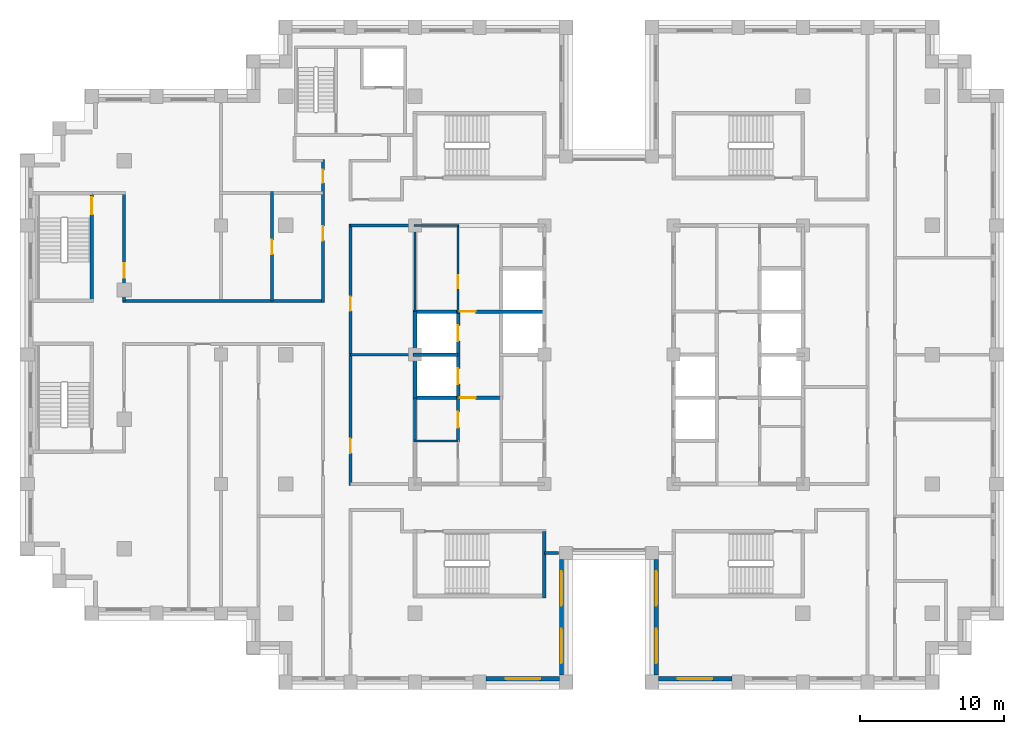
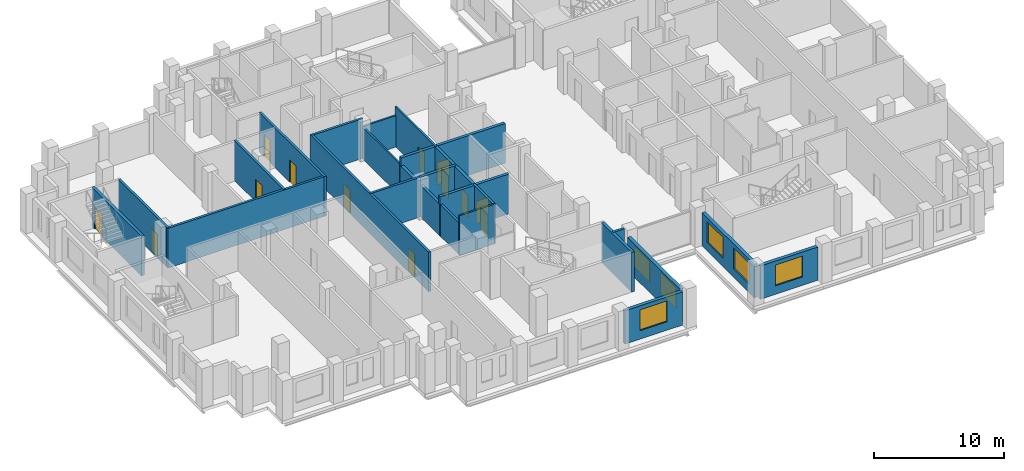
# One storey, part 7 of 15: 25 walls, 13 doors, 6 windows, 19 openings.
"""IFC4 building model written with IfcOpenShell, lengths in metres."""

from ifc_helpers import new_model, si_unit, direction, frame, frame_2d, origin, place, context, subcontext, project, spatial, rectangle, extrude, material, layer, layer_set, type_object, element, fill, save


model = new_model("IFC4")

# Units and contexts
model_context = context("Model", 3, precision=1e-05, world=origin(), true_north=direction((0.0, 1.0)))
body_context = subcontext(model_context, "Body", "Model", "MODEL_VIEW")
ifc_project = project(units=[si_unit("LENGTHUNIT", "METRE"), si_unit("AREAUNIT", "SQUARE_METRE"), si_unit("VOLUMEUNIT", "CUBIC_METRE"), si_unit("PLANEANGLEUNIT", "RADIAN"), si_unit("MASSUNIT", "GRAM", prefix="KILO")], contexts=[model_context])

# Site, building, storey
site_placement = place(None, origin())
site = spatial("IfcSite", under=ifc_project, at=site_placement, CompositionType="ELEMENT")
building_placement = place(site_placement, origin())
building = spatial("IfcBuilding", under=site, at=building_placement, Name="Corbelhall Arena Tower", CompositionType="ELEMENT")
storey_placement = place(building_placement, frame((0.0, 0.0, 204.0)))
storey = spatial("IfcBuildingStorey", under=building, at=storey_placement, Name="L42", CompositionType="ELEMENT", Elevation=204.0)

# Wall, opening, window
ifc_material_1 = material(Name="Precast concrete C40/50 with granite facing", Category="masonry")
ifc_layer_1 = layer(ifc_material_1, 0.300048828125)
ifc_layer_set_1 = layer_set([ifc_layer_1], Name="EV-IW1 Infill panel 300")
wall_type_1 = type_object("IfcWallType", Name="EV-IW1 Infill panel 300", PredefinedType="SOLIDWALL", material=ifc_layer_set_1)
wall_1_placement = place(storey_placement, frame((-8.550048828125, -22.550048828125, 0.0), z_axis=(0.0, 0.0, 1.0), x_axis=(1.0, 0.0, 0.0)))
wall_1 = element("IfcWall", 1, at=wall_1_placement, inside=storey, type_object=wall_type_1, Name="Infill panel IW1", PredefinedType="SOLIDWALL", context=body_context, shape_type="SweptSolid", body=[
    extrude(rectangle(XDim=5.10009765625, YDim=0.300048828125, at=frame_2d((2.550048828125, 0.0))), origin(), (0.0, 0.0, 1.0), 3.1201171875),
])
opening_1_placement = place(wall_1_placement, frame((1.35009765625, 0.0, 0.800048828125)))
opening_1 = element("IfcOpeningElement", 2, at=opening_1_placement, cuts=wall_1, Name="Opening WN1", PredefinedType="OPENING", context=body_context, shape_type="SweptSolid", body=[
    extrude(rectangle(XDim=2.39990234375, YDim=1.949951171875, at=frame_2d((1.199951171875, 0.97509765625))), frame((0.0, 0.14990234375, 0.0), z_axis=(0.0, -1.0, 0.0), x_axis=(1.0, 0.0, 0.0)), (0.0, 0.0, 1.0), 0.300048828125),
])
ifc_material_2 = material(Name="Aluminium black anodised", Category="aluminium")
window_type = type_object("IfcWindowType", Name="EV-WN1 Office window", PartitioningType="SINGLE_PANEL", PredefinedType="WINDOW", material=ifc_material_2)
window_1_placement = place(opening_1_placement, origin())
window_1 = element("IfcWindow", 3, at=window_1_placement, inside=storey, type_object=window_type, Name="Window WN1", OverallHeight=1.949951171875, OverallWidth=2.39990234375, PartitioningType="SINGLE_PANEL", PredefinedType="WINDOW", context=body_context, shape_type="SweptSolid", body=[
    extrude(rectangle(XDim=2.39990234375, YDim=1.949951171875, at=frame_2d((1.199951171875, 0.97509765625))), frame((0.0, 0.030029296875, 0.0), z_axis=(0.0, -1.0, 0.0), x_axis=(1.0, 0.0, 0.0)), (0.0, 0.0, 1.0), 0.06005859375),
])
fill(opening_1, window_1)

# Wall, openings, windows
wall_2_placement = place(storey_placement, frame((-3.300048828125, -22.300048828125, 0.0), z_axis=(0.0, 0.0, 1.0), x_axis=(0.0, 1.0, 0.0)))
wall_2 = element("IfcWall", 4, at=wall_2_placement, inside=storey, type_object=wall_type_1, Name="Infill panel IW1", PredefinedType="SOLIDWALL", context=body_context, shape_type="SweptSolid", body=[
    extrude(rectangle(XDim=8.050048828125, YDim=0.300048828125, at=frame_2d((4.02490234375, 0.0))), origin(), (0.0, 0.0, 1.0), 3.1201171875),
])
opening_2_placement = place(wall_2_placement, frame((0.8125, 0.0, 0.800048828125)))
opening_2 = element("IfcOpeningElement", 5, at=opening_2_placement, cuts=wall_2, Name="Opening WN1", PredefinedType="OPENING", context=body_context, shape_type="SweptSolid", body=[
    extrude(rectangle(XDim=2.39990234375, YDim=1.949951171875, at=frame_2d((1.199951171875, 0.97509765625))), frame((0.0, 0.14990234375, 0.0), z_axis=(0.0, -1.0, 0.0), x_axis=(1.0, 0.0, 0.0)), (0.0, 0.0, 1.0), 0.300048828125),
])
opening_3_placement = place(wall_2_placement, frame((4.83740234375, 0.0, 0.800048828125)))
opening_3 = element("IfcOpeningElement", 6, at=opening_3_placement, cuts=wall_2, Name="Opening WN1", PredefinedType="OPENING", context=body_context, shape_type="SweptSolid", body=[
    extrude(rectangle(XDim=2.39990234375, YDim=1.949951171875, at=frame_2d((1.199951171875, 0.97509765625))), frame((0.0, 0.14990234375, 0.0), z_axis=(0.0, -1.0, 0.0), x_axis=(1.0, 0.0, 0.0)), (0.0, 0.0, 1.0), 0.300048828125),
])
window_2_placement = place(opening_2_placement, origin())
window_2 = element("IfcWindow", 7, at=window_2_placement, inside=storey, type_object=window_type, Name="Window WN1", OverallHeight=1.949951171875, OverallWidth=2.39990234375, PartitioningType="SINGLE_PANEL", PredefinedType="WINDOW", context=body_context, shape_type="SweptSolid", body=[
    extrude(rectangle(XDim=2.39990234375, YDim=1.949951171875, at=frame_2d((1.199951171875, 0.97509765625))), frame((0.0, 0.030029296875, 0.0), z_axis=(0.0, -1.0, 0.0), x_axis=(1.0, 0.0, 0.0)), (0.0, 0.0, 1.0), 0.06005859375),
])
fill(opening_2, window_2)
window_3_placement = place(opening_3_placement, origin())
window_3 = element("IfcWindow", 8, at=window_3_placement, inside=storey, type_object=window_type, Name="Window WN1", OverallHeight=1.949951171875, OverallWidth=2.39990234375, PartitioningType="SINGLE_PANEL", PredefinedType="WINDOW", context=body_context, shape_type="SweptSolid", body=[
    extrude(rectangle(XDim=2.39990234375, YDim=1.949951171875, at=frame_2d((1.199951171875, 0.97509765625))), frame((0.0, 0.030029296875, 0.0), z_axis=(0.0, -1.0, 0.0), x_axis=(1.0, 0.0, 0.0)), (0.0, 0.0, 1.0), 0.06005859375),
])
fill(opening_3, window_3)

wall_3_placement = place(storey_placement, frame((3.300048828125, -14.25, 0.0), z_axis=(0.0, 0.0, 1.0), x_axis=(0.0, -1.0, 0.0)))
wall_3 = element("IfcWall", 9, at=wall_3_placement, inside=storey, type_object=wall_type_1, Name="Infill panel IW1", PredefinedType="SOLIDWALL", context=body_context, shape_type="SweptSolid", body=[
    extrude(rectangle(XDim=8.050048828125, YDim=0.300048828125, at=frame_2d((4.02490234375, 0.0))), origin(), (0.0, 0.0, 1.0), 3.1201171875),
])
opening_4_placement = place(wall_3_placement, frame((0.8125, 0.0, 0.800048828125)))
opening_4 = element("IfcOpeningElement", 10, at=opening_4_placement, cuts=wall_3, Name="Opening WN1", PredefinedType="OPENING", context=body_context, shape_type="SweptSolid", body=[
    extrude(rectangle(XDim=2.39990234375, YDim=1.949951171875, at=frame_2d((1.199951171875, 0.97509765625))), frame((0.0, 0.14990234375, 0.0), z_axis=(0.0, -1.0, 0.0), x_axis=(1.0, 0.0, 0.0)), (0.0, 0.0, 1.0), 0.300048828125),
])
opening_5_placement = place(wall_3_placement, frame((4.83740234375, 0.0, 0.800048828125)))
opening_5 = element("IfcOpeningElement", 11, at=opening_5_placement, cuts=wall_3, Name="Opening WN1", PredefinedType="OPENING", context=body_context, shape_type="SweptSolid", body=[
    extrude(rectangle(XDim=2.39990234375, YDim=1.949951171875, at=frame_2d((1.199951171875, 0.97509765625))), frame((0.0, 0.14990234375, 0.0), z_axis=(0.0, -1.0, 0.0), x_axis=(1.0, 0.0, 0.0)), (0.0, 0.0, 1.0), 0.300048828125),
])
window_4_placement = place(opening_4_placement, origin())
window_4 = element("IfcWindow", 12, at=window_4_placement, inside=storey, type_object=window_type, Name="Window WN1", OverallHeight=1.949951171875, OverallWidth=2.39990234375, PartitioningType="SINGLE_PANEL", PredefinedType="WINDOW", context=body_context, shape_type="SweptSolid", body=[
    extrude(rectangle(XDim=2.39990234375, YDim=1.949951171875, at=frame_2d((1.199951171875, 0.97509765625))), frame((0.0, 0.030029296875, 0.0), z_axis=(0.0, -1.0, 0.0), x_axis=(1.0, 0.0, 0.0)), (0.0, 0.0, 1.0), 0.06005859375),
])
fill(opening_4, window_4)
window_5_placement = place(opening_5_placement, origin())
window_5 = element("IfcWindow", 13, at=window_5_placement, inside=storey, type_object=window_type, Name="Window WN1", OverallHeight=1.949951171875, OverallWidth=2.39990234375, PartitioningType="SINGLE_PANEL", PredefinedType="WINDOW", context=body_context, shape_type="SweptSolid", body=[
    extrude(rectangle(XDim=2.39990234375, YDim=1.949951171875, at=frame_2d((1.199951171875, 0.97509765625))), frame((0.0, 0.030029296875, 0.0), z_axis=(0.0, -1.0, 0.0), x_axis=(1.0, 0.0, 0.0)), (0.0, 0.0, 1.0), 0.06005859375),
])
fill(opening_5, window_5)

# Wall, opening, window
wall_4_placement = place(storey_placement, frame((3.449951171875, -22.550048828125, 0.0), z_axis=(0.0, 0.0, 1.0), x_axis=(1.0, 0.0, 0.0)))
wall_4 = element("IfcWall", 14, at=wall_4_placement, inside=storey, type_object=wall_type_1, Name="Infill panel IW1", PredefinedType="SOLIDWALL", context=body_context, shape_type="SweptSolid", body=[
    extrude(rectangle(XDim=5.10009765625, YDim=0.300048828125, at=frame_2d((2.550048828125, 0.0))), origin(), (0.0, 0.0, 1.0), 3.1201171875),
])
opening_6_placement = place(wall_4_placement, frame((1.35009765625, 0.0, 0.800048828125)))
opening_6 = element("IfcOpeningElement", 15, at=opening_6_placement, cuts=wall_4, Name="Opening WN1", PredefinedType="OPENING", context=body_context, shape_type="SweptSolid", body=[
    extrude(rectangle(XDim=2.39990234375, YDim=1.949951171875, at=frame_2d((1.199951171875, 0.97509765625))), frame((0.0, 0.14990234375, 0.0), z_axis=(0.0, -1.0, 0.0), x_axis=(1.0, 0.0, 0.0)), (0.0, 0.0, 1.0), 0.300048828125),
])
window_6_placement = place(opening_6_placement, origin())
window_6 = element("IfcWindow", 16, at=window_6_placement, inside=storey, type_object=window_type, Name="Window WN1", OverallHeight=1.949951171875, OverallWidth=2.39990234375, PartitioningType="SINGLE_PANEL", PredefinedType="WINDOW", context=body_context, shape_type="SweptSolid", body=[
    extrude(rectangle(XDim=2.39990234375, YDim=1.949951171875, at=frame_2d((1.199951171875, 0.97509765625))), frame((0.0, 0.030029296875, 0.0), z_axis=(0.0, -1.0, 0.0), x_axis=(1.0, 0.0, 0.0)), (0.0, 0.0, 1.0), 0.06005859375),
])
fill(opening_6, window_6)

# Wall
ifc_material_3 = material(Name="Gypsum board on steel stud, acoustic", Category="steel")
ifc_layer_2 = layer(ifc_material_3, 0.199951171875)
ifc_layer_set_2 = layer_set([ifc_layer_2], Name="IN-W-DM200")
wall_type_2 = type_object("IfcWallType", Name="IN-W-DM200", PredefinedType="PARTITIONING", material=ifc_layer_set_2)
wall_5_placement = place(storey_placement, frame((-33.85009765625, 3.75, 0.0), z_axis=(0.0, 0.0, 1.0), x_axis=(1.0, 0.0, 0.0)))
element("IfcWall", 17, at=wall_5_placement, inside=storey, type_object=wall_type_2, Name="Partition 002", PredefinedType="PARTITIONING", context=body_context, shape_type="SweptSolid", body=[
    extrude(rectangle(XDim=13.9501953125, YDim=0.199951171875, at=frame_2d((6.97509765625, 0.0))), origin(), (0.0, 0.0, 1.0), 3.719970703125),
])

# Wall, opening, door
wall_6_placement = place(storey_placement, frame((-33.75, 11.25, 0.0), z_axis=(0.0, 0.0, 1.0), x_axis=(0.0, -1.0, 0.0)))
wall_6 = element("IfcWall", 18, at=wall_6_placement, inside=storey, type_object=wall_type_2, Name="Partition 005", PredefinedType="PARTITIONING", context=body_context, shape_type="SweptSolid", body=[
    extrude(rectangle(XDim=7.5, YDim=0.199951171875, at=frame_2d((3.75, 0.0))), origin(), (0.0, 0.0, 1.0), 3.719970703125),
])
opening_7_placement = place(wall_6_placement, frame((4.89990234375, 0.0, 0.0)))
opening_7 = element("IfcOpeningElement", 19, at=opening_7_placement, cuts=wall_6, Name="Opening 12043", PredefinedType="OPENING", context=body_context, shape_type="SweptSolid", body=[
    extrude(rectangle(XDim=1.0, YDim=2.10009765625, at=frame_2d((0.5, 1.050048828125))), frame((0.0, 0.10009765625, 0.0), z_axis=(0.0, -1.0, 0.0), x_axis=(1.0, 0.0, 0.0)), (0.0, 0.0, 1.0), 0.199951171875),
])
ifc_material_4 = material(Name="Steel door set", Category="steel")
door_type_1 = type_object("IfcDoorType", Name="IN-D-SW100", OperationType="NOTDEFINED", PredefinedType="DOOR", material=ifc_material_4)
door_1_placement = place(opening_7_placement, origin())
door_1 = element("IfcDoor", 20, at=door_1_placement, inside=storey, type_object=door_type_1, Name="Door 043", OperationType="SINGLE_SWING_RIGHT", OverallHeight=2.10009765625, OverallWidth=1.0, PredefinedType="DOOR", context=body_context, shape_type="SweptSolid", body=[
    extrude(rectangle(XDim=1.0, YDim=2.10009765625, at=frame_2d((0.5, 1.050048828125))), frame((0.0, 0.02490234375, 0.0), z_axis=(0.0, -1.0, 0.0), x_axis=(1.0, 0.0, 0.0)), (0.0, 0.0, 1.0), 0.050048828125),
])
fill(opening_7, door_1)

wall_7_placement = place(storey_placement, frame((-23.449951171875, 3.75, 0.0), z_axis=(0.0, 0.0, 1.0), x_axis=(0.0, 1.0, 0.0)))
wall_7 = element("IfcWall", 21, at=wall_7_placement, inside=storey, type_object=wall_type_2, Name="Partition 013", PredefinedType="PARTITIONING", context=body_context, shape_type="SweptSolid", body=[
    extrude(rectangle(XDim=7.60009765625, YDim=0.199951171875, at=frame_2d((3.800048828125, 0.0))), origin(), (0.0, 0.0, 1.0), 3.719970703125),
])
opening_8_placement = place(wall_7_placement, frame((3.25, 0.0, 0.0)))
opening_8 = element("IfcOpeningElement", 22, at=opening_8_placement, cuts=wall_7, Name="Opening 12032", PredefinedType="OPENING", context=body_context, shape_type="SweptSolid", body=[
    extrude(rectangle(XDim=1.0, YDim=2.10009765625, at=frame_2d((0.5, 1.050048828125))), frame((0.0, 0.10009765625, 0.0), z_axis=(0.0, -1.0, 0.0), x_axis=(1.0, 0.0, 0.0)), (0.0, 0.0, 1.0), 0.199951171875),
])
door_2_placement = place(opening_8_placement, origin())
door_2 = element("IfcDoor", 23, at=door_2_placement, inside=storey, type_object=door_type_1, Name="Door 032", OperationType="SINGLE_SWING_LEFT", OverallHeight=2.10009765625, OverallWidth=1.0, PredefinedType="DOOR", context=body_context, shape_type="SweptSolid", body=[
    extrude(rectangle(XDim=1.0, YDim=2.10009765625, at=frame_2d((0.5, 1.050048828125))), frame((0.0, 0.02490234375, 0.0), z_axis=(0.0, -1.0, 0.0), x_axis=(1.0, 0.0, 0.0)), (0.0, 0.0, 1.0), 0.050048828125),
])
fill(opening_8, door_2)

# Wall, openings, doors
wall_8_placement = place(storey_placement, frame((-19.89990234375, 3.64990234375, 0.0), z_axis=(0.0, 0.0, 1.0), x_axis=(0.0, 1.0, 0.0)))
wall_8 = element("IfcWall", 24, at=wall_8_placement, inside=storey, type_object=wall_type_2, Name="Partition 016", PredefinedType="PARTITIONING", context=body_context, shape_type="SweptSolid", body=[
    extrude(rectangle(XDim=9.9501953125, YDim=0.199951171875, at=frame_2d((4.97509765625, 0.0))), origin(), (0.0, 0.0, 1.0), 3.719970703125),
])
opening_9_placement = place(wall_8_placement, frame((4.300048828125, 0.0, 0.0)))
opening_9 = element("IfcOpeningElement", 25, at=opening_9_placement, cuts=wall_8, Name="Opening 12031", PredefinedType="OPENING", context=body_context, shape_type="SweptSolid", body=[
    extrude(rectangle(XDim=1.0, YDim=2.10009765625, at=frame_2d((0.5, 1.050048828125))), frame((0.0, 0.10009765625, 0.0), z_axis=(0.0, -1.0, 0.0), x_axis=(1.0, 0.0, 0.0)), (0.0, 0.0, 1.0), 0.199951171875),
])
opening_10_placement = place(wall_8_placement, frame((8.320068359375, 0.0, 0.0)))
opening_10 = element("IfcOpeningElement", 26, at=opening_10_placement, cuts=wall_8, Name="Opening 12046", PredefinedType="OPENING", context=body_context, shape_type="SweptSolid", body=[
    extrude(rectangle(XDim=0.89990234375, YDim=2.10009765625, at=frame_2d((0.449951171875, 1.050048828125))), frame((0.0, 0.10009765625, 0.0), z_axis=(0.0, -1.0, 0.0), x_axis=(1.0, 0.0, 0.0)), (0.0, 0.0, 1.0), 0.199951171875),
])
door_3_placement = place(opening_9_placement, origin())
door_3 = element("IfcDoor", 27, at=door_3_placement, inside=storey, type_object=door_type_1, Name="Door 031", OperationType="SINGLE_SWING_RIGHT", OverallHeight=2.10009765625, OverallWidth=1.0, PredefinedType="DOOR", context=body_context, shape_type="SweptSolid", body=[
    extrude(rectangle(XDim=1.0, YDim=2.10009765625, at=frame_2d((0.5, 1.050048828125))), frame((0.0, 0.02490234375, 0.0), z_axis=(0.0, -1.0, 0.0), x_axis=(1.0, 0.0, 0.0)), (0.0, 0.0, 1.0), 0.050048828125),
])
fill(opening_9, door_3)
ifc_material_5 = material(Name="Timber door set", Category="wood")
door_type_2 = type_object("IfcDoorType", Name="IN-D-SW90", OperationType="NOTDEFINED", PredefinedType="DOOR", material=ifc_material_5)
door_4_placement = place(opening_10_placement, origin())
door_4 = element("IfcDoor", 28, at=door_4_placement, inside=storey, type_object=door_type_2, Name="Door 046", OperationType="SINGLE_SWING_LEFT", OverallHeight=2.10009765625, OverallWidth=0.89990234375, PredefinedType="DOOR", context=body_context, shape_type="SweptSolid", body=[
    extrude(rectangle(XDim=0.89990234375, YDim=2.10009765625, at=frame_2d((0.449951171875, 1.050048828125))), frame((0.0, 0.02490234375, 0.0), z_axis=(0.0, -1.0, 0.0), x_axis=(1.0, 0.0, 0.0)), (0.0, 0.0, 1.0), 0.050048828125),
])
fill(opening_10, door_4)

# Wall
wall_9_placement = place(storey_placement, frame((-18.0, 0.0, 0.0), z_axis=(0.0, 0.0, 1.0), x_axis=(1.0, 0.0, 0.0)))
element("IfcWall", 29, at=wall_9_placement, inside=storey, type_object=wall_type_2, Name="Partition 020", PredefinedType="PARTITIONING", context=body_context, shape_type="SweptSolid", body=[
    extrude(rectangle(XDim=4.5, YDim=0.199951171875, at=frame_2d((2.25, 0.0))), origin(), (0.0, 0.0, 1.0), 3.719970703125),
])

# Wall, openings, doors
wall_10_placement = place(storey_placement, frame((-18.0, 9.10009765625, 0.0), z_axis=(0.0, 0.0, 1.0), x_axis=(0.0, -1.0, 0.0)))
wall_10 = element("IfcWall", 30, at=wall_10_placement, inside=storey, type_object=wall_type_2, Name="Partition 021", PredefinedType="PARTITIONING", context=body_context, shape_type="SweptSolid", body=[
    extrude(rectangle(XDim=18.2001953125, YDim=0.199951171875, at=frame_2d((9.10009765625, 0.0))), origin(), (0.0, 0.0, 1.0), 3.719970703125),
])
opening_11_placement = place(wall_10_placement, frame((14.949951171875, 0.0, 0.0)))
opening_11 = element("IfcOpeningElement", 31, at=opening_11_placement, cuts=wall_10, Name="Opening 12023", PredefinedType="OPENING", context=body_context, shape_type="SweptSolid", body=[
    extrude(rectangle(XDim=1.0, YDim=2.10009765625, at=frame_2d((0.5, 1.050048828125))), frame((0.0, 0.10009765625, 0.0), z_axis=(0.0, -1.0, 0.0), x_axis=(1.0, 0.0, 0.0)), (0.0, 0.0, 1.0), 0.199951171875),
])
opening_12_placement = place(wall_10_placement, frame((5.050048828125, 0.0, 0.0)))
opening_12 = element("IfcOpeningElement", 32, at=opening_12_placement, cuts=wall_10, Name="Opening 12024", PredefinedType="OPENING", context=body_context, shape_type="SweptSolid", body=[
    extrude(rectangle(XDim=1.0, YDim=2.10009765625, at=frame_2d((0.5, 1.050048828125))), frame((0.0, 0.10009765625, 0.0), z_axis=(0.0, -1.0, 0.0), x_axis=(1.0, 0.0, 0.0)), (0.0, 0.0, 1.0), 0.199951171875),
])
door_5_placement = place(opening_11_placement, origin())
door_5 = element("IfcDoor", 33, at=door_5_placement, inside=storey, type_object=door_type_1, Name="Door 023", OperationType="SINGLE_SWING_RIGHT", OverallHeight=2.10009765625, OverallWidth=1.0, PredefinedType="DOOR", context=body_context, shape_type="SweptSolid", body=[
    extrude(rectangle(XDim=1.0, YDim=2.10009765625, at=frame_2d((0.5, 1.050048828125))), frame((0.0, 0.02490234375, 0.0), z_axis=(0.0, -1.0, 0.0), x_axis=(1.0, 0.0, 0.0)), (0.0, 0.0, 1.0), 0.050048828125),
])
fill(opening_11, door_5)
door_6_placement = place(opening_12_placement, origin())
door_6 = element("IfcDoor", 34, at=door_6_placement, inside=storey, type_object=door_type_1, Name="Door 024", OperationType="SINGLE_SWING_LEFT", OverallHeight=2.10009765625, OverallWidth=1.0, PredefinedType="DOOR", context=body_context, shape_type="SweptSolid", body=[
    extrude(rectangle(XDim=1.0, YDim=2.10009765625, at=frame_2d((0.5, 1.050048828125))), frame((0.0, 0.02490234375, 0.0), z_axis=(0.0, -1.0, 0.0), x_axis=(1.0, 0.0, 0.0)), (0.0, 0.0, 1.0), 0.050048828125),
])
fill(opening_12, door_6)

# Walls
wall_11_placement = place(storey_placement, frame((-13.5, 9.0, 0.0), z_axis=(0.0, 0.0, 1.0), x_axis=(-1.0, 0.0, 0.0)))
element("IfcWall", 35, at=wall_11_placement, inside=storey, type_object=wall_type_2, Name="Partition 029", PredefinedType="PARTITIONING", context=body_context, shape_type="SweptSolid", body=[
    extrude(rectangle(XDim=4.5, YDim=0.199951171875, at=frame_2d((2.25, 0.0))), origin(), (0.0, 0.0, 1.0), 3.719970703125),
])
wall_12_placement = place(storey_placement, frame((-3.5, -13.800048828125, 0.0), z_axis=(0.0, 0.0, 1.0), x_axis=(-1.0, 0.0, 0.0)))
element("IfcWall", 36, at=wall_12_placement, inside=storey, type_object=wall_type_2, Name="Partition 033", PredefinedType="PARTITIONING", context=body_context, shape_type="SweptSolid", body=[
    extrude(rectangle(XDim=1.0, YDim=0.199951171875, at=frame_2d((0.5, 0.0))), origin(), (0.0, 0.0, 1.0), 3.719970703125),
])

# Wall, opening, door
ifc_material_6 = material(Name="Concrete block wall", Category="concrete")
ifc_layer_3 = layer(ifc_material_6, 0.199951171875)
ifc_layer_set_3 = layer_set([ifc_layer_3], Name="IN-W-RS200")
wall_type_3 = type_object("IfcWallType", Name="IN-W-RS200", PredefinedType="SOLIDWALL", material=ifc_layer_set_3)
wall_13_placement = place(storey_placement, frame((-10.5, -6.074951171875, 0.0), z_axis=(0.0, 0.0, 1.0), x_axis=(0.0, 1.0, 0.0)))
wall_13 = element("IfcWall", 37, at=wall_13_placement, inside=storey, type_object=wall_type_3, Name="Partition 057", PredefinedType="SOLIDWALL", context=body_context, shape_type="SweptSolid", body=[
    extrude(rectangle(XDim=3.199951171875, YDim=0.199951171875, at=frame_2d((1.60009765625, 0.0))), origin(), (0.0, 0.0, 1.0), 3.719970703125),
])
opening_13_placement = place(wall_13_placement, frame((1.0, 0.0, 0.0)))
opening_13 = element("IfcOpeningElement", 38, at=opening_13_placement, cuts=wall_13, Name="Opening 12007", PredefinedType="OPENING", context=body_context, shape_type="SweptSolid", body=[
    extrude(rectangle(XDim=1.10009765625, YDim=2.10009765625, at=frame_2d((0.550048828125, 1.050048828125))), frame((0.0, 0.10009765625, 0.0), z_axis=(0.0, -1.0, 0.0), x_axis=(1.0, 0.0, 0.0)), (0.0, 0.0, 1.0), 0.199951171875),
])
door_type_3 = type_object("IfcDoorType", Name="IN-D-FD110", OperationType="NOTDEFINED", PredefinedType="DOOR", material=ifc_material_4)
door_7_placement = place(opening_13_placement, origin())
door_7 = element("IfcDoor", 39, at=door_7_placement, inside=storey, type_object=door_type_3, Name="Door 007", OperationType="SINGLE_SWING_RIGHT", OverallHeight=2.10009765625, OverallWidth=1.10009765625, PredefinedType="DOOR", context=body_context, shape_type="SweptSolid", body=[
    extrude(rectangle(XDim=1.10009765625, YDim=2.10009765625, at=frame_2d((0.550048828125, 1.050048828125))), frame((0.0, 0.02490234375, 0.0), z_axis=(0.0, -1.0, 0.0), x_axis=(1.0, 0.0, 0.0)), (0.0, 0.0, 1.0), 0.050048828125),
])
fill(opening_13, door_7)

# Walls
ifc_layer_4 = layer(ifc_material_6, 0.199951171875)
ifc_layer_set_4 = layer_set([ifc_layer_4], Name="IN-W-RS200 under beam 762 mm")
wall_type_4 = type_object("IfcWallType", Name="IN-W-RS200 under beam 762 mm", PredefinedType="SOLIDWALL", material=ifc_layer_set_4)
wall_14_placement = place(storey_placement, frame((-13.5, -6.0, 0.0), z_axis=(0.0, 0.0, 1.0), x_axis=(0.0, 1.0, 0.0)))
element("IfcWall", 40, at=wall_14_placement, inside=storey, type_object=wall_type_4, Name="Partition 056", PredefinedType="SOLIDWALL", context=body_context, shape_type="SweptSolid", body=[
    extrude(rectangle(XDim=3.0, YDim=0.199951171875, at=frame_2d((1.5, 0.0))), origin(), (0.0, 0.0, 1.0), 2.9580078125),
])
ifc_material_7 = material(Name="Concrete C40/50", Category="concrete")
ifc_layer_5 = layer(ifc_material_7, 0.25)
ifc_layer_set_5 = layer_set([ifc_layer_5], Name="IN-W-SH250")
wall_type_5 = type_object("IfcWallType", Name="IN-W-SH250", PredefinedType="SOLIDWALL", material=ifc_layer_set_5)
wall_15_placement = place(storey_placement, frame((-13.625, 0.0, 0.0), z_axis=(0.0, 0.0, 1.0), x_axis=(1.0, 0.0, 0.0)))
element("IfcWall", 41, at=wall_15_placement, inside=storey, type_object=wall_type_5, Name="Shaft wall 077", PredefinedType="SOLIDWALL", context=body_context, shape_type="SweptSolid", body=[
    extrude(rectangle(XDim=3.125, YDim=0.25, at=frame_2d((1.5625, 0.0))), origin(), (0.0, 0.0, 1.0), 3.719970703125),
])

# Wall, opening, door
wall_16_placement = place(storey_placement, frame((-13.625, 3.0, 0.0), z_axis=(0.0, 0.0, 1.0), x_axis=(1.0, 0.0, 0.0)))
wall_16 = element("IfcWall", 42, at=wall_16_placement, inside=storey, type_object=wall_type_5, Name="Shaft wall 078", PredefinedType="SOLIDWALL", context=body_context, shape_type="SweptSolid", body=[
    extrude(rectangle(XDim=9.25, YDim=0.25, at=frame_2d((4.625, 0.0))), origin(), (0.0, 0.0, 1.0), 3.719970703125),
])
opening_14_placement = place(wall_16_placement, frame((3.25, 0.0, 0.0)))
opening_14 = element("IfcOpeningElement", 43, at=opening_14_placement, cuts=wall_16, Name="Opening 12005", PredefinedType="OPENING", context=body_context, shape_type="SweptSolid", body=[
    extrude(rectangle(XDim=1.10009765625, YDim=2.10009765625, at=frame_2d((0.550048828125, 1.050048828125))), frame((0.0, 0.125, 0.0), z_axis=(0.0, -1.0, 0.0), x_axis=(1.0, 0.0, 0.0)), (0.0, 0.0, 1.0), 0.25),
])
door_8_placement = place(opening_14_placement, origin())
door_8 = element("IfcDoor", 44, at=door_8_placement, inside=storey, type_object=door_type_3, Name="Door 005", OperationType="SINGLE_SWING_RIGHT", OverallHeight=2.10009765625, OverallWidth=1.10009765625, PredefinedType="DOOR", context=body_context, shape_type="SweptSolid", body=[
    extrude(rectangle(XDim=1.10009765625, YDim=2.10009765625, at=frame_2d((0.550048828125, 1.050048828125))), frame((0.0, 0.02490234375, 0.0), z_axis=(0.0, -1.0, 0.0), x_axis=(1.0, 0.0, 0.0)), (0.0, 0.0, 1.0), 0.050048828125),
])
fill(opening_14, door_8)

wall_17_placement = place(storey_placement, frame((-13.625, -3.0, 0.0), z_axis=(0.0, 0.0, 1.0), x_axis=(1.0, 0.0, 0.0)))
wall_17 = element("IfcWall", 45, at=wall_17_placement, inside=storey, type_object=wall_type_5, Name="Shaft wall 080", PredefinedType="SOLIDWALL", context=body_context, shape_type="SweptSolid", body=[
    extrude(rectangle(XDim=6.125, YDim=0.25, at=frame_2d((3.0625, 0.0))), origin(), (0.0, 0.0, 1.0), 3.719970703125),
])
opening_15_placement = place(wall_17_placement, frame((3.25, 0.0, 0.0)))
opening_15 = element("IfcOpeningElement", 46, at=opening_15_placement, cuts=wall_17, Name="Opening 12004", PredefinedType="OPENING", context=body_context, shape_type="SweptSolid", body=[
    extrude(rectangle(XDim=1.10009765625, YDim=2.10009765625, at=frame_2d((0.550048828125, 1.050048828125))), frame((0.0, 0.125, 0.0), z_axis=(0.0, -1.0, 0.0), x_axis=(1.0, 0.0, 0.0)), (0.0, 0.0, 1.0), 0.25),
])
door_9_placement = place(opening_15_placement, origin())
door_9 = element("IfcDoor", 47, at=door_9_placement, inside=storey, type_object=door_type_3, Name="Door 004", OperationType="SINGLE_SWING_LEFT", OverallHeight=2.10009765625, OverallWidth=1.10009765625, PredefinedType="DOOR", context=body_context, shape_type="SweptSolid", body=[
    extrude(rectangle(XDim=1.10009765625, YDim=2.10009765625, at=frame_2d((0.550048828125, 1.050048828125))), frame((0.0, 0.02490234375, 0.0), z_axis=(0.0, -1.0, 0.0), x_axis=(1.0, 0.0, 0.0)), (0.0, 0.0, 1.0), 0.050048828125),
])
fill(opening_15, door_9)

# Wall, openings, doors
wall_18_placement = place(storey_placement, frame((-10.5, -3.125, 0.0), z_axis=(0.0, 0.0, 1.0), x_axis=(0.0, 1.0, 0.0)))
wall_18 = element("IfcWall", 48, at=wall_18_placement, inside=storey, type_object=wall_type_5, Name="Shaft wall 081", PredefinedType="SOLIDWALL", context=body_context, shape_type="SweptSolid", body=[
    extrude(rectangle(XDim=6.25, YDim=0.25, at=frame_2d((3.125, 0.0))), origin(), (0.0, 0.0, 1.0), 3.719970703125),
])
opening_16_placement = place(wall_18_placement, frame((1.074951171875, 0.0, 0.0)))
opening_16 = element("IfcOpeningElement", 49, at=opening_16_placement, cuts=wall_18, Name="Opening LD", PredefinedType="OPENING", context=body_context, shape_type="SweptSolid", body=[
    extrude(rectangle(XDim=1.10009765625, YDim=2.10009765625, at=frame_2d((0.550048828125, 1.050048828125))), frame((0.0, 0.125, 0.0), z_axis=(0.0, -1.0, 0.0), x_axis=(1.0, 0.0, 0.0)), (0.0, 0.0, 1.0), 0.25),
])
opening_17_placement = place(wall_18_placement, frame((4.074951171875, 0.0, 0.0)))
opening_17 = element("IfcOpeningElement", 50, at=opening_17_placement, cuts=wall_18, Name="Opening LD", PredefinedType="OPENING", context=body_context, shape_type="SweptSolid", body=[
    extrude(rectangle(XDim=1.10009765625, YDim=2.10009765625, at=frame_2d((0.550048828125, 1.050048828125))), frame((0.0, 0.125, 0.0), z_axis=(0.0, -1.0, 0.0), x_axis=(1.0, 0.0, 0.0)), (0.0, 0.0, 1.0), 0.25),
])
door_type_4 = type_object("IfcDoorType", Name="IN-D-LD110", OperationType="NOTDEFINED", PredefinedType="DOOR", material=ifc_material_4)
door_10_placement = place(opening_16_placement, origin())
door_10 = element("IfcDoor", 51, at=door_10_placement, inside=storey, type_object=door_type_4, Name="Landing door W3", OperationType="SLIDING_TO_LEFT", OverallHeight=2.10009765625, OverallWidth=1.10009765625, PredefinedType="DOOR", context=body_context, shape_type="SweptSolid", body=[
    extrude(rectangle(XDim=1.10009765625, YDim=2.10009765625, at=frame_2d((0.550048828125, 1.050048828125))), frame((0.0, 0.02490234375, 0.0), z_axis=(0.0, -1.0, 0.0), x_axis=(1.0, 0.0, 0.0)), (0.0, 0.0, 1.0), 0.050048828125),
])
fill(opening_16, door_10)
door_11_placement = place(opening_17_placement, origin())
door_11 = element("IfcDoor", 52, at=door_11_placement, inside=storey, type_object=door_type_4, Name="Landing door W4", OperationType="SLIDING_TO_LEFT", OverallHeight=2.10009765625, OverallWidth=1.10009765625, PredefinedType="DOOR", context=body_context, shape_type="SweptSolid", body=[
    extrude(rectangle(XDim=1.10009765625, YDim=2.10009765625, at=frame_2d((0.550048828125, 1.050048828125))), frame((0.0, 0.02490234375, 0.0), z_axis=(0.0, -1.0, 0.0), x_axis=(1.0, 0.0, 0.0)), (0.0, 0.0, 1.0), 0.050048828125),
])
fill(opening_17, door_11)

# Wall
ifc_layer_6 = layer(ifc_material_7, 0.25)
ifc_layer_set_6 = layer_set([ifc_layer_6], Name="IN-W-SH250 under beam 762 mm")
wall_type_6 = type_object("IfcWallType", Name="IN-W-SH250 under beam 762 mm", PredefinedType="SOLIDWALL", material=ifc_layer_set_6)
wall_19_placement = place(storey_placement, frame((-13.5, -3.0, 0.0), z_axis=(0.0, 0.0, 1.0), x_axis=(0.0, 1.0, 0.0)))
element("IfcWall", 53, at=wall_19_placement, inside=storey, type_object=wall_type_6, Name="Shaft wall 079", PredefinedType="SOLIDWALL", context=body_context, shape_type="SweptSolid", body=[
    extrude(rectangle(XDim=6.0, YDim=0.25, at=frame_2d((3.0, 0.0))), origin(), (0.0, 0.0, 1.0), 2.9580078125),
])

# Wall, opening, door
ifc_layer_7 = layer(ifc_material_7, 0.25)
ifc_layer_set_7 = layer_set([ifc_layer_7], Name="IN-W-ST250")
wall_type_7 = type_object("IfcWallType", Name="IN-W-ST250", PredefinedType="SOLIDWALL", material=ifc_layer_set_7)
wall_20_placement = place(storey_placement, frame((-36.0, 11.375, 0.0), z_axis=(0.0, 0.0, 1.0), x_axis=(0.0, -1.0, 0.0)))
wall_20 = element("IfcWall", 54, at=wall_20_placement, inside=storey, type_object=wall_type_7, Name="Shaft wall 100", PredefinedType="SOLIDWALL", context=body_context, shape_type="SweptSolid", body=[
    extrude(rectangle(XDim=7.625, YDim=0.25, at=frame_2d((3.8125, 0.0))), origin(), (0.0, 0.0, 1.0), 3.719970703125),
])
opening_18_placement = place(wall_20_placement, frame((0.39990234375, 0.0, 0.0)))
opening_18 = element("IfcOpeningElement", 55, at=opening_18_placement, cuts=wall_20, Name="Opening 12021", PredefinedType="OPENING", context=body_context, shape_type="SweptSolid", body=[
    extrude(rectangle(XDim=1.199951171875, YDim=2.10009765625, at=frame_2d((0.60009765625, 1.050048828125))), frame((0.0, 0.125, 0.0), z_axis=(0.0, -1.0, 0.0), x_axis=(1.0, 0.0, 0.0)), (0.0, 0.0, 1.0), 0.25),
])
door_type_5 = type_object("IfcDoorType", Name="IN-D-ST120", OperationType="NOTDEFINED", PredefinedType="DOOR", material=ifc_material_4)
door_12_placement = place(opening_18_placement, origin())
door_12 = element("IfcDoor", 56, at=door_12_placement, inside=storey, type_object=door_type_5, Name="Door 021", OperationType="SINGLE_SWING_RIGHT", OverallHeight=2.10009765625, OverallWidth=1.199951171875, PredefinedType="DOOR", context=body_context, shape_type="SweptSolid", body=[
    extrude(rectangle(XDim=1.199951171875, YDim=2.10009765625, at=frame_2d((0.60009765625, 1.050048828125))), frame((0.0, 0.02490234375, 0.0), z_axis=(0.0, -1.0, 0.0), x_axis=(1.0, 0.0, 0.0)), (0.0, 0.0, 1.0), 0.050048828125),
])
fill(opening_18, door_12)

# Walls
wall_21_placement = place(storey_placement, frame((-4.5, -12.300048828125, 0.0), z_axis=(0.0, 0.0, 1.0), x_axis=(0.0, -1.0, 0.0)))
element("IfcWall", 57, at=wall_21_placement, inside=storey, type_object=wall_type_7, Name="Shaft wall 107", PredefinedType="SOLIDWALL", context=body_context, shape_type="SweptSolid", body=[
    extrude(rectangle(XDim=4.625, YDim=0.25, at=frame_2d((2.3125, 0.0))), origin(), (0.0, 0.0, 1.0), 3.719970703125),
])
ifc_material_8 = material(Name="Gypsum board on steel stud, moisture resistant", Category="steel")
ifc_layer_8 = layer(ifc_material_8, 0.14990234375)
ifc_layer_set_8 = layer_set([ifc_layer_8], Name="IN-W-WC150")
wall_type_8 = type_object("IfcWallType", Name="IN-W-WC150", PredefinedType="PARTITIONING", material=ifc_layer_set_8)
wall_22_placement = place(storey_placement, frame((-13.60009765625, -6.0, 0.0), z_axis=(0.0, 0.0, 1.0), x_axis=(1.0, 0.0, 0.0)))
element("IfcWall", 58, at=wall_22_placement, inside=storey, type_object=wall_type_8, Name="Partition 118", PredefinedType="PARTITIONING", context=body_context, shape_type="SweptSolid", body=[
    extrude(rectangle(XDim=3.10009765625, YDim=0.14990234375, at=frame_2d((1.550048828125, 0.0))), origin(), (0.0, 0.0, 1.0), 3.719970703125),
])

# Wall, opening, door
wall_23_placement = place(storey_placement, frame((-10.5, 2.875, 0.0), z_axis=(0.0, 0.0, 1.0), x_axis=(0.0, 1.0, 0.0)))
wall_23 = element("IfcWall", 59, at=wall_23_placement, inside=storey, type_object=wall_type_8, Name="Partition 124", PredefinedType="PARTITIONING", context=body_context, shape_type="SweptSolid", body=[
    extrude(rectangle(XDim=6.199951171875, YDim=0.14990234375, at=frame_2d((3.10009765625, 0.0))), origin(), (0.0, 0.0, 1.0), 3.719970703125),
])
opening_19_placement = place(wall_23_placement, frame((1.75, 0.0, 0.0)))
opening_19 = element("IfcOpeningElement", 60, at=opening_19_placement, cuts=wall_23, Name="Opening 12008", PredefinedType="OPENING", context=body_context, shape_type="SweptSolid", body=[
    extrude(rectangle(XDim=0.89990234375, YDim=2.10009765625, at=frame_2d((0.449951171875, 1.050048828125))), frame((0.0, 0.074951171875, 0.0), z_axis=(0.0, -1.0, 0.0), x_axis=(1.0, 0.0, 0.0)), (0.0, 0.0, 1.0), 0.14990234375),
])
door_13_placement = place(opening_19_placement, origin())
door_13 = element("IfcDoor", 61, at=door_13_placement, inside=storey, type_object=door_type_2, Name="Door 008", OperationType="SINGLE_SWING_LEFT", OverallHeight=2.10009765625, OverallWidth=0.89990234375, PredefinedType="DOOR", context=body_context, shape_type="SweptSolid", body=[
    extrude(rectangle(XDim=0.89990234375, YDim=2.10009765625, at=frame_2d((0.449951171875, 1.050048828125))), frame((0.0, 0.02490234375, 0.0), z_axis=(0.0, -1.0, 0.0), x_axis=(1.0, 0.0, 0.0)), (0.0, 0.0, 1.0), 0.050048828125),
])
fill(opening_19, door_13)

# Walls
ifc_layer_9 = layer(ifc_material_8, 0.14990234375)
ifc_layer_set_9 = layer_set([ifc_layer_9], Name="IN-W-WC150 under beam 762 mm")
wall_type_9 = type_object("IfcWallType", Name="IN-W-WC150 under beam 762 mm", PredefinedType="PARTITIONING", material=ifc_layer_set_9)
wall_24_placement = place(storey_placement, frame((-13.574951171875, 9.0, 0.0), z_axis=(0.0, 0.0, 1.0), x_axis=(1.0, 0.0, 0.0)))
element("IfcWall", 62, at=wall_24_placement, inside=storey, type_object=wall_type_9, Name="Partition 119", PredefinedType="PARTITIONING", context=body_context, shape_type="SweptSolid", body=[
    extrude(rectangle(XDim=3.074951171875, YDim=0.14990234375, at=frame_2d((1.53759765625, 0.0))), origin(), (0.0, 0.0, 1.0), 2.9580078125),
])
wall_25_placement = place(storey_placement, frame((-13.5, 3.0, 0.0), z_axis=(0.0, 0.0, 1.0), x_axis=(0.0, 1.0, 0.0)))
element("IfcWall", 63, at=wall_25_placement, inside=storey, type_object=wall_type_9, Name="Partition 121", PredefinedType="PARTITIONING", context=body_context, shape_type="SweptSolid", body=[
    extrude(rectangle(XDim=6.10009765625, YDim=0.14990234375, at=frame_2d((3.050048828125, 0.0))), origin(), (0.0, 0.0, 1.0), 2.9580078125),
])

save(model, "model.ifc")
